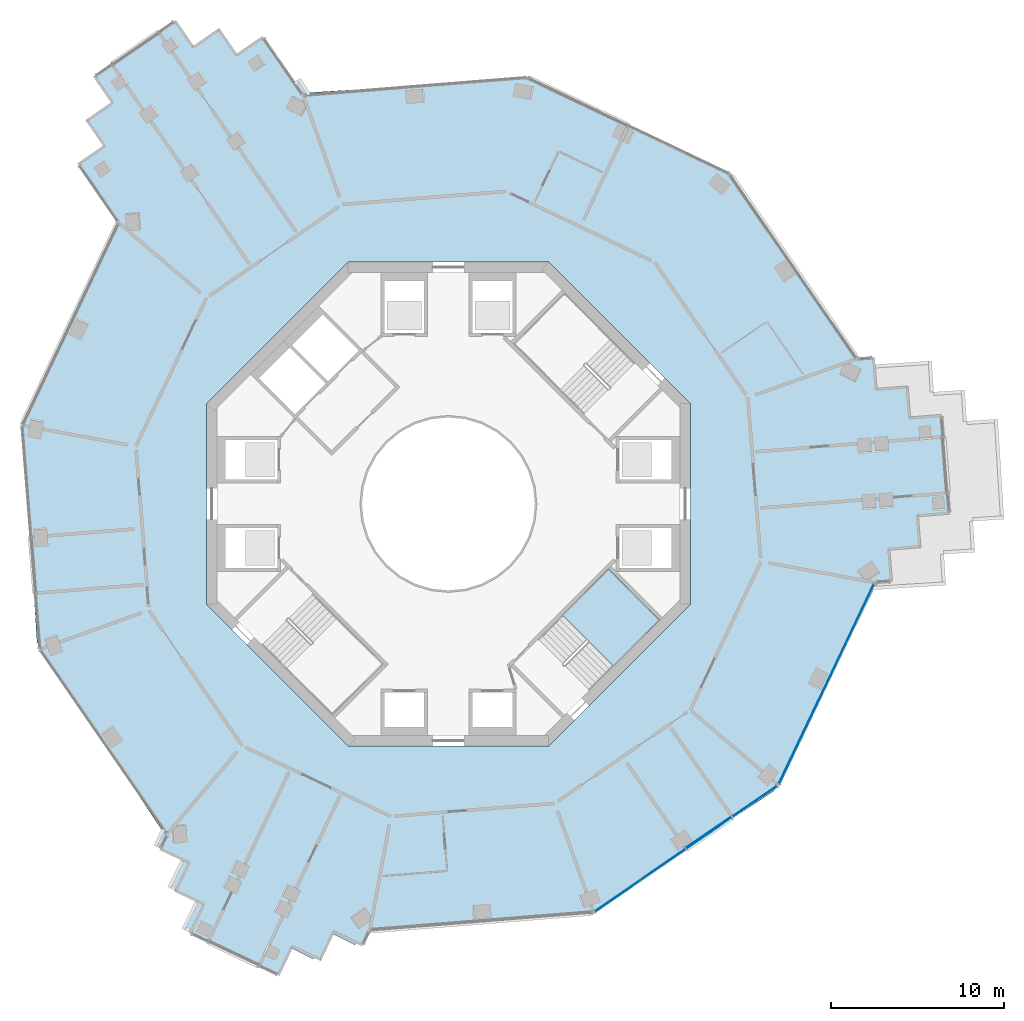
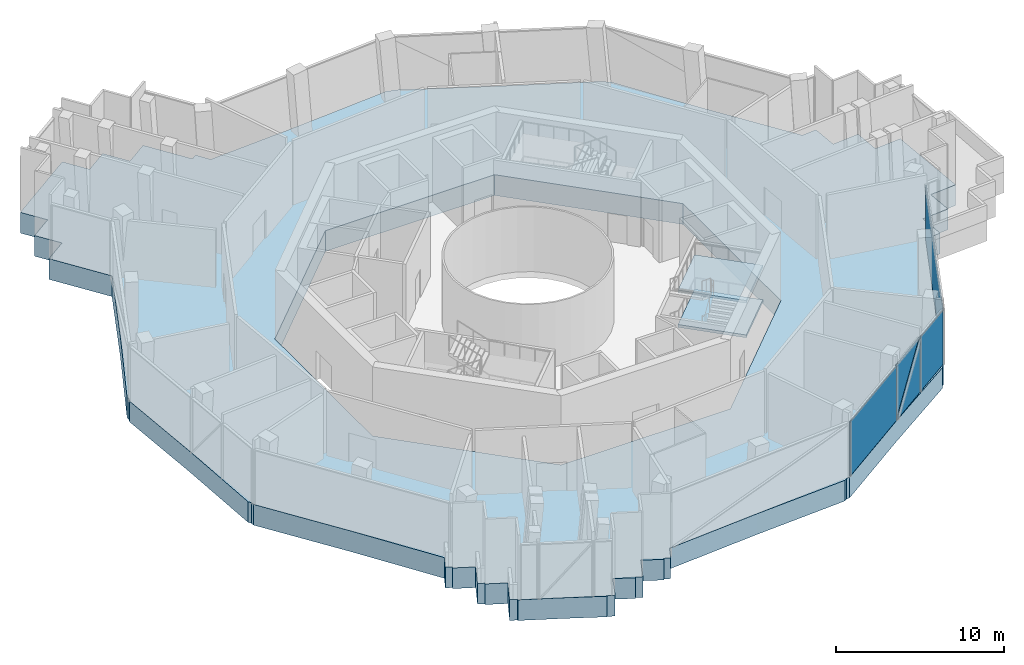
# One storey, part 8 of 21: 5 plates, 3 slabs, 3 elements without a shape of their own.
"""IFC4 building model written with IfcOpenShell, lengths in metres."""

import ifcopenshell
import ifcopenshell.guid

model = None  # the IFC model being written
_history = None  # IfcOwnerHistory: only IFC2X3 demands one
_inside = {}  # id of a spatial element -> (the spatial element, [elements in it])
_under = {}  # id of a project, library or spatial element -> (it, [spatial elements below it])
_declared = {}  # id of a project -> (the project, [libraries it declares])
_typed = {}  # id of a type object -> (the type object, [elements of that type])
_made_of = {}  # id of a material, layer set ... -> (it, [elements and type objects made of it])


def new_model(schema):
    """Start an empty IFC model of exactly this schema.

    Asked for "IFC4X3", IfcOpenShell would pick the latest addendum, in which some entities
    have other attributes; the version numbers below select the first issue.
    IFC2X3 requires an IfcOwnerHistory on every rooted entity: one is made here for all.
    """
    global model, _history
    if schema == "IFC4X3":
        model = ifcopenshell.file(schema_version=(4, 3, 0, 0))
    else:
        model = ifcopenshell.file(schema=schema)
    _inside.clear()
    _under.clear()
    _declared.clear()
    _typed.clear()
    _made_of.clear()
    _history = None
    if model.schema == "IFC2X3":
        org = make("IfcOrganization", Name="unknown")
        user = make(
            "IfcPersonAndOrganization",
            ThePerson=make("IfcPerson", FamilyName="unknown"),
            TheOrganization=org,
        )
        app = make(
            "IfcApplication",
            ApplicationDeveloper=org,
            Version="unknown",
            ApplicationFullName="unknown",
            ApplicationIdentifier="unknown",
        )
        _history = make(
            "IfcOwnerHistory",
            OwningUser=user,
            OwningApplication=app,
            ChangeAction="ADDED",
            CreationDate=0,
        )
    return model


def make(cls, **values):
    """One entity of the class cls with the attributes given. An attribute that is None is left unset."""
    return model.create_entity(
        cls, **{name: value for name, value in values.items() if value is not None}
    )


def rooted(cls, **values):
    """An entity with a GlobalId (a new one), such as an element, a storey or a relation."""
    return make(cls, GlobalId=ifcopenshell.guid.new(), OwnerHistory=_history, **values)


def si_unit(unit_type, name, prefix=None):
    """IfcSIUnit, for example si_unit("LENGTHUNIT", "METRE", prefix="MILLI")."""
    return make("IfcSIUnit", UnitType=unit_type, Prefix=prefix, Name=name)


def assignment(units):
    """IfcUnitAssignment: the units of a project."""
    return None if units is None else make("IfcUnitAssignment", Units=units)


def point(xyz):
    """IfcCartesianPoint."""
    return None if xyz is None else make("IfcCartesianPoint", Coordinates=xyz)


def direction(xyz):
    """IfcDirection."""
    return None if xyz is None else make("IfcDirection", DirectionRatios=xyz)


def frame(location, z_axis=None, x_axis=None):
    """IfcAxis2Placement3D, a coordinate frame: its origin and axes. An axis left out is left unset."""
    return make(
        "IfcAxis2Placement3D",
        Location=point(location),
        Axis=direction(z_axis),
        RefDirection=direction(x_axis),
    )


def frame_2d(location, x_axis=None):
    """IfcAxis2Placement2D, a coordinate frame in the plane: its origin and x axis."""
    return make(
        "IfcAxis2Placement2D", Location=point(location), RefDirection=direction(x_axis)
    )


def origin():
    """The frame at (0, 0, 0) with its axes left unset."""
    return frame((0.0, 0.0, 0.0))


def origin_2d():
    """The frame at (0, 0) in the plane with its x axis left unset."""
    return frame_2d((0.0, 0.0))


def place(relative_to, where):
    """IfcLocalPlacement: puts the frame where relative to a parent placement (None: the world)."""
    return make(
        "IfcLocalPlacement", PlacementRelTo=relative_to, RelativePlacement=where
    )


def context(
    kind, dimensions, precision=None, world=None, true_north=None, identifier=None
):
    """IfcGeometricRepresentationContext, for example the 3D "Model" context."""
    return make(
        "IfcGeometricRepresentationContext",
        ContextIdentifier=identifier,
        ContextType=kind,
        CoordinateSpaceDimension=dimensions,
        Precision=precision,
        WorldCoordinateSystem=world,
        TrueNorth=true_north,
    )


def subcontext(parent, identifier, kind, view, scale=None):
    """IfcGeometricRepresentationSubContext, for example "Body" below "Model"."""
    return make(
        "IfcGeometricRepresentationSubContext",
        ContextIdentifier=identifier,
        ContextType=kind,
        ParentContext=parent,
        TargetScale=scale,
        TargetView=view,
    )


def project(units=None, contexts=None):
    """IfcProject with its units and contexts."""
    return rooted(
        "IfcProject",
        Name="project",
        RepresentationContexts=contexts,
        UnitsInContext=assignment(units),
    )


def spatial(cls, under=None, at=None, **own):
    """A site, building, storey or space (cls), placed at a placement, below another one or the project."""
    s = rooted(cls, ObjectPlacement=at, **own)
    if under is not None:
        _under.setdefault(under.id(), (under, []))[1].append(s)
    return s


def polyline(points):
    """IfcPolyline through the points."""
    return make("IfcPolyline", Points=[point(p) for p in points])


def profile(cls, at=None, kind="AREA", **sizes):
    """A parametric profile (cls). Its sizes go by their IFC names, for example OverallWidth=200.0."""
    return make(cls, ProfileType=kind, Position=at, **sizes)


def rectangle(**sizes):
    """IfcRectangleProfileDef."""
    return profile("IfcRectangleProfileDef", **sizes)


def outline(outer, holes=None, kind="AREA"):
    """IfcArbitraryClosedProfileDef: a profile drawn as a closed curve; with holes, ...WithVoids."""
    if holes is None:
        return make("IfcArbitraryClosedProfileDef", ProfileType=kind, OuterCurve=outer)
    return make(
        "IfcArbitraryProfileDefWithVoids",
        ProfileType=kind,
        OuterCurve=outer,
        InnerCurves=holes,
    )


def extrude(swept, where, along, depth):
    """IfcExtrudedAreaSolid: the profile swept, set in the frame where, extruded along a direction by depth."""
    return make(
        "IfcExtrudedAreaSolid",
        SweptArea=swept,
        Position=where,
        ExtrudedDirection=direction(along),
        Depth=depth,
    )


def shape(context_of_items, identifier, shape_type, items):
    """IfcShapeRepresentation: the items that make up one representation, for example the "Body"."""
    return make(
        "IfcShapeRepresentation",
        ContextOfItems=context_of_items,
        RepresentationIdentifier=identifier,
        RepresentationType=shape_type,
        Items=items,
    )


def material(Name=None, Category=None):
    """IfcMaterial."""
    return make("IfcMaterial", Name=Name, Category=Category)


def layer(
    of_material, thickness, ventilated=None, Name=None, Category=None, Priority=None
):
    """IfcMaterialLayer: one layer of a wall or slab, of a material (None: an air gap)."""
    return make(
        "IfcMaterialLayer",
        Material=of_material,
        LayerThickness=thickness,
        IsVentilated=ventilated,
        Name=Name,
        Category=Category,
        Priority=Priority,
    )


def layer_set(layers, Name=None):
    """IfcMaterialLayerSet."""
    return make("IfcMaterialLayerSet", MaterialLayers=layers, LayerSetName=Name)


def made_of(thing, what):
    """Note that an element or type object is made of a material, layer set ...; save() writes the relation."""
    if what is not None:
        _made_of.setdefault(what.id(), (what, []))[1].append(thing)
    return thing


def type_object(cls, material=None, **own):
    """A type object (cls), such as IfcWallType, which elements share."""
    return made_of(rooted(cls, **own), material)


def element(
    cls,
    number,
    at=None,
    inside=None,
    cuts=None,
    type_object=None,
    material=None,
    context=None,
    identifier="Body",
    shape_type=None,
    held_by="IfcProductDefinitionShape",
    body=None,
    shapes=None,
    **own,
):
    """One element of the class cls, such as IfcWall. Its Tag is "e" and its number.

    at: its placement. inside: the storey or other place that contains it. cuts: it is an
    opening in that element (IfcRelVoidsElement). A single representation is given by context,
    identifier, shape_type and body (its items); several are given by shapes. held_by: the class
    of the entity that holds the representations. save() writes the other relations.
    """
    e = rooted(cls, Tag="e%d" % number, ObjectPlacement=at, **own)
    if body is not None:
        shapes = [shape(context, identifier, shape_type, body)]
    if shapes is not None:
        e.Representation = make(held_by, Representations=shapes)
    if inside is not None:
        _inside.setdefault(inside.id(), (inside, []))[1].append(e)
    if cuts is not None:
        rooted(
            "IfcRelVoidsElement", RelatingBuildingElement=cuts, RelatedOpeningElement=e
        )
    if type_object is not None:
        _typed.setdefault(type_object.id(), (type_object, []))[1].append(e)
    return made_of(e, material)


def aggregate(whole, parts):
    """IfcRelAggregates: a whole, such as a stair, and the parts it consists of."""
    return rooted("IfcRelAggregates", RelatingObject=whole, RelatedObjects=parts)


def save(model, path):
    """Write the relations noted so far, then the file.

    IfcRelAggregates (storeys below a building ...), IfcRelContainedInSpatialStructure (elements
    in a storey), IfcRelDefinesByType, IfcRelAssociatesMaterial and IfcRelDeclares: one each for
    every whole, place, type object, material and project.
    """
    for whole, parts in _under.values():
        aggregate(whole, parts)
    for where, things in _inside.values():
        rooted(
            "IfcRelContainedInSpatialStructure",
            RelatedElements=things,
            RelatingStructure=where,
        )
    for kind, things in _typed.values():
        rooted("IfcRelDefinesByType", RelatedObjects=things, RelatingType=kind)
    for what, things in _made_of.values():
        rooted("IfcRelAssociatesMaterial", RelatedObjects=things, RelatingMaterial=what)
    for by, libraries in _declared.values():
        rooted("IfcRelDeclares", RelatingContext=by, RelatedDefinitions=libraries)
    model.write(path)


model = new_model("IFC4")

# Units and contexts
model_context = context("Model", 3, precision=1e-05, world=origin(), true_north=direction((0.0, 1.0)))
body_context = subcontext(model_context, "Body", "Model", "MODEL_VIEW")
ifc_project = project(units=[si_unit("LENGTHUNIT", "METRE"), si_unit("AREAUNIT", "SQUARE_METRE"), si_unit("VOLUMEUNIT", "CUBIC_METRE"), si_unit("PLANEANGLEUNIT", "RADIAN"), si_unit("MASSUNIT", "GRAM", prefix="KILO")], contexts=[model_context])

# Site, building, storey
site_placement = place(None, origin())
site = spatial("IfcSite", under=ifc_project, at=site_placement, CompositionType="ELEMENT")
building_placement = place(site_placement, origin())
building = spatial("IfcBuilding", under=site, at=building_placement, Name="Verdalira Terraces Hotel", CompositionType="ELEMENT")
storey_placement = place(building_placement, frame((0.0, 0.0, 175.0)))
storey = spatial("IfcBuildingStorey", under=building, at=storey_placement, Name="L42", CompositionType="ELEMENT", Elevation=175.0)

# Curtain wall, plates
ifc_material_1 = material(Name="Clear glass", Category="glass")
ifc_layer_1 = layer(ifc_material_1, 0.239990234375)
ifc_layer_set_1 = layer_set([ifc_layer_1], Name="CW5 curtain wall")
curtain_wall_type = type_object("IfcCurtainWallType", Name="CW5 curtain wall", PredefinedType="NOTDEFINED", material=ifc_layer_set_1)
curtain_wall_1_placement = place(storey_placement, origin())
curtain_wall_1 = element("IfcCurtainWall", 1, at=curtain_wall_1_placement, inside=storey, type_object=curtain_wall_type, Name="CW5 curtain wall L42 edge 26", PredefinedType="NOTDEFINED")
ifc_material_2 = material(Name="Clear glass", Category="glass")
ifc_layer_2 = layer(ifc_material_2, 0.0439453125)
ifc_layer_set_2 = layer_set([ifc_layer_2], Name="CW5 glass unit 44")
plate_type = type_object("IfcPlateType", Name="CW5 glass unit 44", PredefinedType="CURTAIN_PANEL", material=ifc_layer_set_2)
plate_1_placement = place(storey_placement, frame((11.098389, -21.775146, 0.0), z_axis=(0.0, 0.0, 1.0), x_axis=(0.823532598, 0.567268949, 0.0)))
plate_1 = element("IfcPlate", 2, at=plate_1_placement, type_object=plate_type, Name="CW5 glass unit", PredefinedType="CURTAIN_PANEL", context=body_context, shape_type="SweptSolid", body=[
    extrude(rectangle(XDim=6.354736, YDim=0.043945, at=origin_2d()), origin(), (0.0, 0.0, 1.0), 3.965088),
])
plate_2_placement = place(storey_placement, frame((15.069824, -19.012939, 1.982422), z_axis=(0.567268949, -0.823532598, 0.0), x_axis=(0.823532598, 0.567268949, 0.0)))
plate_2 = element("IfcPlate", 3, at=plate_2_placement, type_object=plate_type, Name="CW5 glass unit", PredefinedType="CURTAIN_PANEL", context=body_context, shape_type="SweptSolid", body=[
    extrude(outline(polyline([(-1.589844, -1.982422), (1.589844, -1.982422), (1.589844, 1.982422), (-1.589844, -1.982422)])), origin(), (0.0, 0.0, 1.0), 0.043945),
])
plate_3_placement = place(storey_placement, frame((15.044434, -18.97583, 1.982422), z_axis=(0.567268949, -0.823532598, 0.0), x_axis=(0.823532598, 0.567268949, 0.0)))
plate_3 = element("IfcPlate", 4, at=plate_3_placement, type_object=plate_type, Name="CW5 glass unit", PredefinedType="CURTAIN_PANEL", context=body_context, shape_type="SweptSolid", body=[
    extrude(outline(polyline([(-1.589844, -1.982422), (1.589844, 1.982422), (-1.589844, 1.982422), (-1.589844, -1.982422)])), origin(), (0.0, 0.0, 1.0), 0.043945),
])
plate_4_placement = place(storey_placement, frame((17.727783, -17.20874, 0.0), z_axis=(0.0, 0.0, 1.0), x_axis=(0.823532598, 0.567268949, 0.0)))
plate_4 = element("IfcPlate", 5, at=plate_4_placement, type_object=plate_type, Name="CW5 glass unit", PredefinedType="CURTAIN_PANEL", context=body_context, shape_type="SweptSolid", body=[
    extrude(rectangle(XDim=3.104736, YDim=0.043945, at=origin_2d()), origin(), (0.0, 0.0, 1.0), 3.965088),
])
aggregate(curtain_wall_1, [plate_1, plate_2, plate_3, plate_4])

# Curtain wall, plate
curtain_wall_2_placement = place(storey_placement, origin())
curtain_wall_2 = element("IfcCurtainWall", 6, at=curtain_wall_2_placement, inside=storey, type_object=curtain_wall_type, Name="CW5 curtain wall L42 edge 27", PredefinedType="NOTDEFINED")
plate_5_placement = place(storey_placement, frame((21.876465, -10.413086, 0.0), z_axis=(0.0, 0.0, 1.0), x_axis=(0.429565676, 0.90303562, 0.0)))
plate_5 = element("IfcPlate", 7, at=plate_5_placement, type_object=plate_type, Name="CW5 glass unit", PredefinedType="CURTAIN_PANEL", context=body_context, shape_type="SweptSolid", body=[
    extrude(rectangle(XDim=12.767822, YDim=0.043945, at=origin_2d()), origin(), (0.0, 0.0, 1.0), 3.965088),
])
aggregate(curtain_wall_2, [plate_5])

# Stair, slabs
ifc_material_3 = material(Name="Concrete C40", Category="concrete")
stair_type = type_object("IfcStairType", Name="Core stair 32 risers 2050 mm wide", PredefinedType="HALF_TURN_STAIR", material=ifc_material_3)
stair_placement = place(storey_placement, origin())
stair = element("IfcStair", 8, at=stair_placement, inside=storey, type_object=stair_type, Name="L42 Exit stair ST3", PredefinedType="HALF_TURN_STAIR")
ifc_material_4 = material(Name="Concrete C40", Category="concrete")
ifc_layer_3 = layer(ifc_material_4, 0.199951171875)
ifc_layer_set_3 = layer_set([ifc_layer_3], Name="Core stair landing 200 mm")
slab_type_1 = type_object("IfcSlabType", Name="Core stair landing 200 mm", PredefinedType="LANDING", material=ifc_layer_set_3)
slab_1_placement = place(storey_placement, frame((0.0, 0.0, 1.050049)))
slab_1 = element("IfcSlab", 9, at=slab_1_placement, type_object=slab_type_1, Name="ST3 landing 1", PredefinedType="LANDING", context=body_context, shape_type="SweptSolid", body=[
    extrude(outline(polyline([(9.552734, -9.397705), (12.23291, -6.717529), (9.263184, -3.747559), (6.582764, -6.427979), (9.552734, -9.397705)])), origin(), (0.0, 0.0, 1.0), 0.199951),
])
slab_2_placement = place(storey_placement, frame((0.0, 0.0, 3.550049)))
slab_2 = element("IfcSlab", 10, at=slab_2_placement, type_object=slab_type_1, Name="ST3 landing 3", PredefinedType="LANDING", context=body_context, shape_type="SweptSolid", body=[
    extrude(outline(polyline([(9.552734, -9.397705), (12.23291, -6.717529), (9.263184, -3.747559), (6.582764, -6.427979), (9.552734, -9.397705)])), origin(), (0.0, 0.0, 1.0), 0.199951),
])
aggregate(stair, [slab_1, slab_2])

# Slab
ifc_material_5 = material(Name="Concrete C60", Category="concrete")
ifc_layer_4 = layer(ifc_material_5, 1.5)
ifc_layer_set_4 = layer_set([ifc_layer_4], Name="Transfer slab 1500 C60")
slab_type_2 = type_object("IfcSlabType", Name="Transfer slab 1500 C60", PredefinedType="FLOOR", material=ifc_layer_set_4)
slab_3_placement = place(storey_placement, frame((0.0, 0.0, -1.5)))
element("IfcSlab", 11, at=slab_3_placement, inside=storey, type_object=slab_type_2, Name="Transfer slab TS-42", PredefinedType="FLOOR", context=body_context, shape_type="SweptSolid", body=[
    extrude(outline(polyline([(-1.726074, 24.197754), (-8.010498, 23.802246), (-8.563721, 24.635254), (-8.915527, 24.401611), (-10.757568, 27.075684), (-12.239746, 26.054443), (-13.260986, 27.536865), (-14.743408, 26.515869), (-15.764404, 27.998047), (-20.541016, 24.708008), (-19.519775, 23.225586), (-21.002197, 22.20459), (-19.980957, 20.722168), (-21.463379, 19.701172), (-19.114014, 16.290283), (-21.818848, 10.604004), (-24.618652, 4.964111), (-24.60498, 4.74707), (-24.698242, 4.550781), (-24.197754, -1.726074), (-23.802246, -8.010498), (-23.682129, -8.191406), (-23.664795, -8.407959), (-20.092773, -13.593506), (-16.608154, -18.838379), (-17.052979, -19.734131), (-16.674561, -19.921875), (-16.719727, -20.01709), (-15.477295, -20.608154), (-16.240967, -22.146729), (-15.835449, -22.3479), (-15.867676, -22.415771), (-14.651855, -22.993896), (-15.428955, -24.559326), (-14.996094, -24.77417), (-15.015381, -24.814453), (-12.61499, -25.956299), (-10.233887, -27.138184), (-10.214111, -27.098389), (-9.777588, -27.305908), (-9.0271, -25.727783), (-7.821289, -26.326172), (-7.787842, -26.259033), (-7.37915, -26.453613), (-6.641113, -24.902588), (-5.408691, -25.514404), (-5.361816, -25.419922), (-4.980469, -25.601318), (-4.550781, -24.698242), (1.726074, -24.197754), (8.010498, -23.802246), (8.191406, -23.682129), (8.407959, -23.664795), (13.593506, -20.092773), (18.838379, -16.608154), (18.935059, -16.413574), (19.114014, -16.290283), (21.817871, -10.606201), (21.817383, -10.606201), (24.697998, -4.550293), (25.69458, -4.470947), (25.551514, -2.676514), (27.345703, -2.533447), (27.202637, -0.739014), (28.99707, -0.595947), (28.535889, 5.18457), (26.741699, 5.041504), (26.598633, 6.835693), (24.804199, 6.692627), (24.69458, 8.066895), (24.695068, 8.066895), (24.661621, 8.487549), (23.664795, 8.407959), (20.092773, 13.593506), (16.608154, 18.838379), (16.413574, 18.935059), (16.290283, 19.114014), (10.604004, 21.818848), (4.964111, 24.618652), (4.74707, 24.60498), (4.550781, 24.698242), (-1.726074, 24.197754)]), holes=[polyline([(5.799072, 14.0), (14.0, 5.799072), (14.0, -5.799072), (5.799072, -14.0), (-5.799072, -14.0), (-14.0, -5.799072), (-14.0, 5.799072), (-5.799072, 14.0), (5.799072, 14.0)])]), origin(), (0.0, 0.0, 1.0), 1.5),
])

save(model, "model.ifc")
